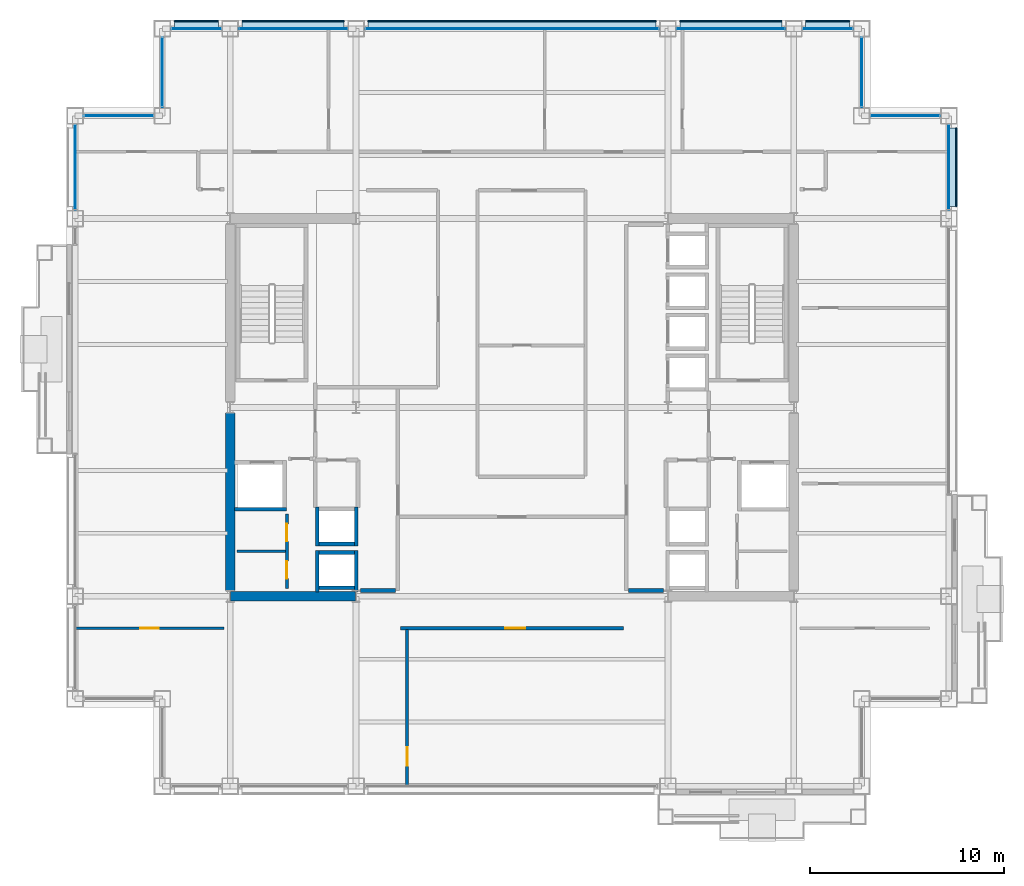
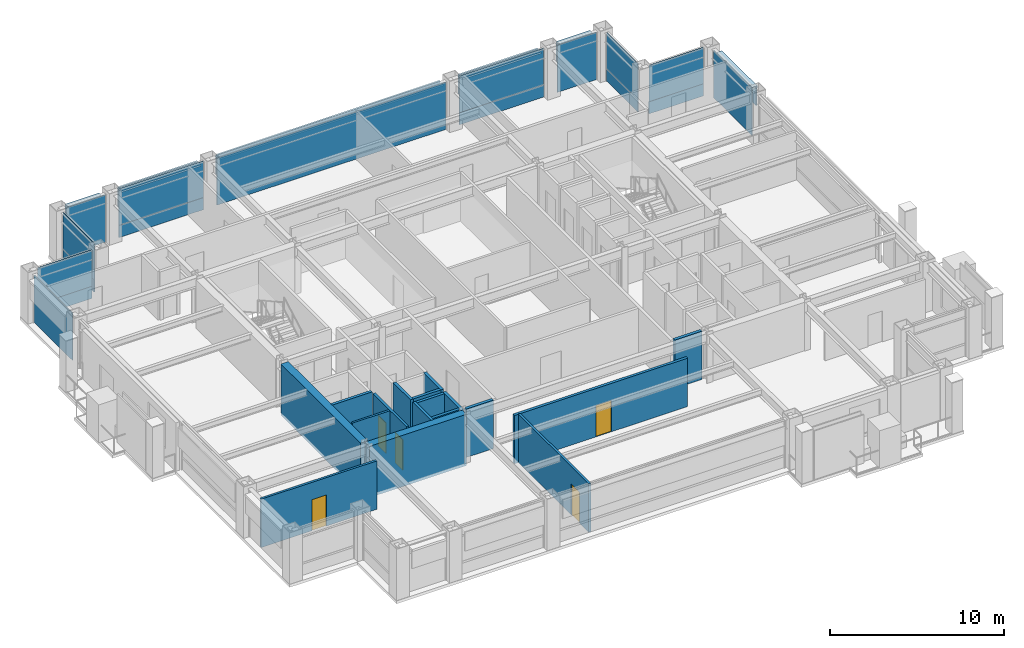
# One storey, part 24 of 30: 29 plates, 17 walls, 5 doors, 5 openings, 11 elements without a shape of their own.
"""IFC4 building model written with IfcOpenShell, lengths in metres."""

import ifcopenshell
import ifcopenshell.guid

model = None  # the IFC model being written
_history = None  # IfcOwnerHistory: only IFC2X3 demands one
_inside = {}  # id of a spatial element -> (the spatial element, [elements in it])
_under = {}  # id of a project, library or spatial element -> (it, [spatial elements below it])
_declared = {}  # id of a project -> (the project, [libraries it declares])
_typed = {}  # id of a type object -> (the type object, [elements of that type])
_made_of = {}  # id of a material, layer set ... -> (it, [elements and type objects made of it])


def new_model(schema):
    """Start an empty IFC model of exactly this schema.

    Asked for "IFC4X3", IfcOpenShell would pick the latest addendum, in which some entities
    have other attributes; the version numbers below select the first issue.
    IFC2X3 requires an IfcOwnerHistory on every rooted entity: one is made here for all.
    """
    global model, _history
    if schema == "IFC4X3":
        model = ifcopenshell.file(schema_version=(4, 3, 0, 0))
    else:
        model = ifcopenshell.file(schema=schema)
    _inside.clear()
    _under.clear()
    _declared.clear()
    _typed.clear()
    _made_of.clear()
    _history = None
    if model.schema == "IFC2X3":
        org = make("IfcOrganization", Name="unknown")
        user = make(
            "IfcPersonAndOrganization",
            ThePerson=make("IfcPerson", FamilyName="unknown"),
            TheOrganization=org,
        )
        app = make(
            "IfcApplication",
            ApplicationDeveloper=org,
            Version="unknown",
            ApplicationFullName="unknown",
            ApplicationIdentifier="unknown",
        )
        _history = make(
            "IfcOwnerHistory",
            OwningUser=user,
            OwningApplication=app,
            ChangeAction="ADDED",
            CreationDate=0,
        )
    return model


def make(cls, **values):
    """One entity of the class cls with the attributes given. An attribute that is None is left unset."""
    return model.create_entity(
        cls, **{name: value for name, value in values.items() if value is not None}
    )


def rooted(cls, **values):
    """An entity with a GlobalId (a new one), such as an element, a storey or a relation."""
    return make(cls, GlobalId=ifcopenshell.guid.new(), OwnerHistory=_history, **values)


def si_unit(unit_type, name, prefix=None):
    """IfcSIUnit, for example si_unit("LENGTHUNIT", "METRE", prefix="MILLI")."""
    return make("IfcSIUnit", UnitType=unit_type, Prefix=prefix, Name=name)


def assignment(units):
    """IfcUnitAssignment: the units of a project."""
    return None if units is None else make("IfcUnitAssignment", Units=units)


def point(xyz):
    """IfcCartesianPoint."""
    return None if xyz is None else make("IfcCartesianPoint", Coordinates=xyz)


def direction(xyz):
    """IfcDirection."""
    return None if xyz is None else make("IfcDirection", DirectionRatios=xyz)


def frame(location, z_axis=None, x_axis=None):
    """IfcAxis2Placement3D, a coordinate frame: its origin and axes. An axis left out is left unset."""
    return make(
        "IfcAxis2Placement3D",
        Location=point(location),
        Axis=direction(z_axis),
        RefDirection=direction(x_axis),
    )


def frame_2d(location, x_axis=None):
    """IfcAxis2Placement2D, a coordinate frame in the plane: its origin and x axis."""
    return make(
        "IfcAxis2Placement2D", Location=point(location), RefDirection=direction(x_axis)
    )


def origin():
    """The frame at (0, 0, 0) with its axes left unset."""
    return frame((0.0, 0.0, 0.0))


def origin_2d():
    """The frame at (0, 0) in the plane with its x axis left unset."""
    return frame_2d((0.0, 0.0))


def place(relative_to, where):
    """IfcLocalPlacement: puts the frame where relative to a parent placement (None: the world)."""
    return make(
        "IfcLocalPlacement", PlacementRelTo=relative_to, RelativePlacement=where
    )


def context(
    kind, dimensions, precision=None, world=None, true_north=None, identifier=None
):
    """IfcGeometricRepresentationContext, for example the 3D "Model" context."""
    return make(
        "IfcGeometricRepresentationContext",
        ContextIdentifier=identifier,
        ContextType=kind,
        CoordinateSpaceDimension=dimensions,
        Precision=precision,
        WorldCoordinateSystem=world,
        TrueNorth=true_north,
    )


def subcontext(parent, identifier, kind, view, scale=None):
    """IfcGeometricRepresentationSubContext, for example "Body" below "Model"."""
    return make(
        "IfcGeometricRepresentationSubContext",
        ContextIdentifier=identifier,
        ContextType=kind,
        ParentContext=parent,
        TargetScale=scale,
        TargetView=view,
    )


def project(units=None, contexts=None):
    """IfcProject with its units and contexts."""
    return rooted(
        "IfcProject",
        Name="project",
        RepresentationContexts=contexts,
        UnitsInContext=assignment(units),
    )


def spatial(cls, under=None, at=None, **own):
    """A site, building, storey or space (cls), placed at a placement, below another one or the project."""
    s = rooted(cls, ObjectPlacement=at, **own)
    if under is not None:
        _under.setdefault(under.id(), (under, []))[1].append(s)
    return s


def profile(cls, at=None, kind="AREA", **sizes):
    """A parametric profile (cls). Its sizes go by their IFC names, for example OverallWidth=200.0."""
    return make(cls, ProfileType=kind, Position=at, **sizes)


def rectangle(**sizes):
    """IfcRectangleProfileDef."""
    return profile("IfcRectangleProfileDef", **sizes)


def extrude(swept, where, along, depth):
    """IfcExtrudedAreaSolid: the profile swept, set in the frame where, extruded along a direction by depth."""
    return make(
        "IfcExtrudedAreaSolid",
        SweptArea=swept,
        Position=where,
        ExtrudedDirection=direction(along),
        Depth=depth,
    )


def shape(context_of_items, identifier, shape_type, items):
    """IfcShapeRepresentation: the items that make up one representation, for example the "Body"."""
    return make(
        "IfcShapeRepresentation",
        ContextOfItems=context_of_items,
        RepresentationIdentifier=identifier,
        RepresentationType=shape_type,
        Items=items,
    )


def material(Name=None, Category=None):
    """IfcMaterial."""
    return make("IfcMaterial", Name=Name, Category=Category)


def layer(
    of_material, thickness, ventilated=None, Name=None, Category=None, Priority=None
):
    """IfcMaterialLayer: one layer of a wall or slab, of a material (None: an air gap)."""
    return make(
        "IfcMaterialLayer",
        Material=of_material,
        LayerThickness=thickness,
        IsVentilated=ventilated,
        Name=Name,
        Category=Category,
        Priority=Priority,
    )


def layer_set(layers, Name=None):
    """IfcMaterialLayerSet."""
    return make("IfcMaterialLayerSet", MaterialLayers=layers, LayerSetName=Name)


def made_of(thing, what):
    """Note that an element or type object is made of a material, layer set ...; save() writes the relation."""
    if what is not None:
        _made_of.setdefault(what.id(), (what, []))[1].append(thing)
    return thing


def type_object(cls, material=None, **own):
    """A type object (cls), such as IfcWallType, which elements share."""
    return made_of(rooted(cls, **own), material)


def element(
    cls,
    number,
    at=None,
    inside=None,
    cuts=None,
    type_object=None,
    material=None,
    context=None,
    identifier="Body",
    shape_type=None,
    held_by="IfcProductDefinitionShape",
    body=None,
    shapes=None,
    **own,
):
    """One element of the class cls, such as IfcWall. Its Tag is "e" and its number.

    at: its placement. inside: the storey or other place that contains it. cuts: it is an
    opening in that element (IfcRelVoidsElement). A single representation is given by context,
    identifier, shape_type and body (its items); several are given by shapes. held_by: the class
    of the entity that holds the representations. save() writes the other relations.
    """
    e = rooted(cls, Tag="e%d" % number, ObjectPlacement=at, **own)
    if body is not None:
        shapes = [shape(context, identifier, shape_type, body)]
    if shapes is not None:
        e.Representation = make(held_by, Representations=shapes)
    if inside is not None:
        _inside.setdefault(inside.id(), (inside, []))[1].append(e)
    if cuts is not None:
        rooted(
            "IfcRelVoidsElement", RelatingBuildingElement=cuts, RelatedOpeningElement=e
        )
    if type_object is not None:
        _typed.setdefault(type_object.id(), (type_object, []))[1].append(e)
    return made_of(e, material)


def fill(opening, filler):
    """IfcRelFillsElement: the door or window that sits in an opening."""
    return rooted(
        "IfcRelFillsElement",
        RelatingOpeningElement=opening,
        RelatedBuildingElement=filler,
    )


def aggregate(whole, parts):
    """IfcRelAggregates: a whole, such as a stair, and the parts it consists of."""
    return rooted("IfcRelAggregates", RelatingObject=whole, RelatedObjects=parts)


def save(model, path):
    """Write the relations noted so far, then the file.

    IfcRelAggregates (storeys below a building ...), IfcRelContainedInSpatialStructure (elements
    in a storey), IfcRelDefinesByType, IfcRelAssociatesMaterial and IfcRelDeclares: one each for
    every whole, place, type object, material and project.
    """
    for whole, parts in _under.values():
        aggregate(whole, parts)
    for where, things in _inside.values():
        rooted(
            "IfcRelContainedInSpatialStructure",
            RelatedElements=things,
            RelatingStructure=where,
        )
    for kind, things in _typed.values():
        rooted("IfcRelDefinesByType", RelatedObjects=things, RelatingType=kind)
    for what, things in _made_of.values():
        rooted("IfcRelAssociatesMaterial", RelatedObjects=things, RelatingMaterial=what)
    for by, libraries in _declared.values():
        rooted("IfcRelDeclares", RelatingContext=by, RelatedDefinitions=libraries)
    model.write(path)


model = new_model("IFC4")

# Units and contexts
model_context = context("Model", 3, precision=1e-05, world=origin(), true_north=direction((0.0, 1.0)))
body_context = subcontext(model_context, "Body", "Model", "MODEL_VIEW")
ifc_project = project(units=[si_unit("LENGTHUNIT", "METRE"), si_unit("AREAUNIT", "SQUARE_METRE"), si_unit("VOLUMEUNIT", "CUBIC_METRE"), si_unit("PLANEANGLEUNIT", "RADIAN"), si_unit("MASSUNIT", "GRAM", prefix="KILO")], contexts=[model_context])

# Site, building, storey
site_placement = place(None, origin())
site = spatial("IfcSite", under=ifc_project, at=site_placement, CompositionType="ELEMENT")
building_placement = place(site_placement, origin())
building = spatial("IfcBuilding", under=site, at=building_placement, Name="Brelmoor Portico Tower", CompositionType="ELEMENT")
storey_placement = place(building_placement, frame((0.0, 0.0, 102.60009765625)))
storey = spatial("IfcBuildingStorey", under=building, at=storey_placement, Name="L26", CompositionType="ELEMENT", Elevation=102.60009765625)

# Curtain wall, plate
ifc_material_1 = material(Name="Anodised Aluminium Alloy 6063-T6", Category="aluminium")
ifc_layer_1 = layer(ifc_material_1, 0.179931640625)
ifc_layer_set_1 = layer_set([ifc_layer_1], Name="Anodised Aluminium Alloy 6063-T6")
curtain_wall_type_1 = type_object("IfcCurtainWallType", Name="CW-TOWER-Z2", PredefinedType="NOTDEFINED", material=ifc_layer_set_1)
curtain_wall_1_placement = place(storey_placement, origin())
curtain_wall_1 = element("IfcCurtainWall", 1, at=curtain_wall_1_placement, inside=storey, type_object=curtain_wall_type_1, Name="L26 Curtain Wall CW-L26-02-2", PredefinedType="NOTDEFINED")
ifc_material_2 = material(Name="Double-Silver Low-E Insulated Glazing", Category="glass")
ifc_layer_2 = layer(ifc_material_2, 0.035888671875)
ifc_layer_set_2 = layer_set([ifc_layer_2], Name="Double-Silver Low-E Insulated Glazing")
plate_type_1 = type_object("IfcPlateType", Name="PT-CW-GLASS", PredefinedType="CURTAIN_PANEL", material=ifc_layer_set_2)
plate_1_placement = place(storey_placement, frame((-11.300048828125, 19.550048828125, 0.85009765625), z_axis=(0.0, 0.0, 1.0), x_axis=(1.0, 0.0, 0.0)))
plate_1 = element("IfcPlate", 2, at=plate_1_placement, type_object=plate_type_1, Name="CW-L26-02-2 Vision Glass Panel 00", PredefinedType="CURTAIN_PANEL", context=body_context, shape_type="SweptSolid", body=[
    extrude(rectangle(XDim=5.60009765625, YDim=0.035888671875, at=origin_2d()), origin(), (0.0, 0.0, 1.0), 2.550048828125),
])

curtain_wall_2_placement = place(storey_placement, origin())
curtain_wall_2 = element("IfcCurtainWall", 3, at=curtain_wall_2_placement, inside=storey, type_object=curtain_wall_type_1, Name="L26 Curtain Wall CW-L26-02-4", PredefinedType="NOTDEFINED")
plate_2_placement = place(storey_placement, frame((11.300048828125, 19.550048828125, 0.85009765625), z_axis=(0.0, 0.0, 1.0), x_axis=(1.0, 0.0, 0.0)))
plate_2 = element("IfcPlate", 4, at=plate_2_placement, type_object=plate_type_1, Name="CW-L26-02-4 Vision Glass Panel 00", PredefinedType="CURTAIN_PANEL", context=body_context, shape_type="SweptSolid", body=[
    extrude(rectangle(XDim=5.60009765625, YDim=0.035888671875, at=origin_2d()), origin(), (0.0, 0.0, 1.0), 2.550048828125),
])

ifc_layer_3 = layer(ifc_material_1, 0.179931640625)
ifc_layer_set_3 = layer_set([ifc_layer_3], Name="Anodised Aluminium Alloy 6063-T6")
curtain_wall_type_2 = type_object("IfcCurtainWallType", Name="CW-NOTCH-CHAMFER", PredefinedType="NOTDEFINED", material=ifc_layer_set_3)
curtain_wall_3_placement = place(storey_placement, origin())
curtain_wall_3 = element("IfcCurtainWall", 5, at=curtain_wall_3_placement, inside=storey, type_object=curtain_wall_type_2, Name="L26 Curtain Wall CWN-L26-NWH", PredefinedType="NOTDEFINED")
plate_3_placement = place(storey_placement, frame((-20.300048828125, 15.050048828125, 0.85009765625), z_axis=(0.0, 0.0, 1.0), x_axis=(1.0, 0.0, 0.0)))
plate_3 = element("IfcPlate", 6, at=plate_3_placement, type_object=plate_type_1, Name="CWN-L26-NWH Vision Glass Panel 00", PredefinedType="CURTAIN_PANEL", context=body_context, shape_type="SweptSolid", body=[
    extrude(rectangle(XDim=3.60009765625, YDim=0.035888671875, at=origin_2d()), origin(), (0.0, 0.0, 1.0), 2.550048828125),
])

curtain_wall_4_placement = place(storey_placement, origin())
curtain_wall_4 = element("IfcCurtainWall", 7, at=curtain_wall_4_placement, inside=storey, type_object=curtain_wall_type_2, Name="L26 Curtain Wall CWN-L26-NWV", PredefinedType="NOTDEFINED")
plate_4_placement = place(storey_placement, frame((-18.050048828125, 17.300048828125, 0.85009765625), z_axis=(0.0, 0.0, 1.0), x_axis=(0.0, 1.0, 0.0)))
plate_4 = element("IfcPlate", 8, at=plate_4_placement, type_object=plate_type_1, Name="CWN-L26-NWV Vision Glass Panel 00", PredefinedType="CURTAIN_PANEL", context=body_context, shape_type="SweptSolid", body=[
    extrude(rectangle(XDim=3.60009765625, YDim=0.035888671875, at=origin_2d()), origin(), (0.0, 0.0, 1.0), 2.550048828125),
])

curtain_wall_5_placement = place(storey_placement, origin())
curtain_wall_5 = element("IfcCurtainWall", 9, at=curtain_wall_5_placement, inside=storey, type_object=curtain_wall_type_2, Name="L26 Curtain Wall CWN-L26-NEH", PredefinedType="NOTDEFINED")
plate_5_placement = place(storey_placement, frame((20.300048828125, 15.050048828125, 0.85009765625), z_axis=(0.0, 0.0, 1.0), x_axis=(1.0, 0.0, 0.0)))
plate_5 = element("IfcPlate", 10, at=plate_5_placement, type_object=plate_type_1, Name="CWN-L26-NEH Vision Glass Panel 00", PredefinedType="CURTAIN_PANEL", context=body_context, shape_type="SweptSolid", body=[
    extrude(rectangle(XDim=3.60009765625, YDim=0.035888671875, at=origin_2d()), origin(), (0.0, 0.0, 1.0), 2.550048828125),
])

curtain_wall_6_placement = place(storey_placement, origin())
curtain_wall_6 = element("IfcCurtainWall", 11, at=curtain_wall_6_placement, inside=storey, type_object=curtain_wall_type_2, Name="L26 Curtain Wall CWN-L26-NEV", PredefinedType="NOTDEFINED")
plate_6_placement = place(storey_placement, frame((18.050048828125, 17.300048828125, 0.85009765625), z_axis=(0.0, 0.0, 1.0), x_axis=(0.0, 1.0, 0.0)))
plate_6 = element("IfcPlate", 12, at=plate_6_placement, type_object=plate_type_1, Name="CWN-L26-NEV Vision Glass Panel 00", PredefinedType="CURTAIN_PANEL", context=body_context, shape_type="SweptSolid", body=[
    extrude(rectangle(XDim=3.60009765625, YDim=0.035888671875, at=origin_2d()), origin(), (0.0, 0.0, 1.0), 2.550048828125),
])

ifc_layer_4 = layer(ifc_material_1, 0.179931640625)
ifc_layer_set_4 = layer_set([ifc_layer_4], Name="Anodised Aluminium Alloy 6063-T6")
curtain_wall_type_3 = type_object("IfcCurtainWallType", Name="CW-TOWER-Z2-XB", PredefinedType="NOTDEFINED", material=ifc_layer_set_4)
curtain_wall_7_placement = place(storey_placement, origin())
curtain_wall_7 = element("IfcCurtainWall", 13, at=curtain_wall_7_placement, inside=storey, type_object=curtain_wall_type_3, Name="L26 Curtain Wall CW-L26-02-1", PredefinedType="NOTDEFINED")
ifc_material_3 = material(Name="Pale Champagne Anodised Aluminium Panel", Category="aluminium")
ifc_layer_5 = layer(ifc_material_3, 0.050048828125)
ifc_layer_set_5 = layer_set([ifc_layer_5], Name="Pale Champagne Anodised Aluminium Panel")
plate_type_2 = type_object("IfcPlateType", Name="PT-CW-SPANDREL", PredefinedType="SHEET", material=ifc_layer_set_5)
plate_7_placement = place(storey_placement, frame((-16.300048828125, 19.550048828125, -0.000244140625), z_axis=(0.0, 0.0, 1.0), x_axis=(1.0, 0.0, 0.0)))
plate_7 = element("IfcPlate", 14, at=plate_7_placement, type_object=plate_type_2, Name="CW-L26-02-1 Spandrel Panel 00", PredefinedType="SHEET", context=body_context, shape_type="SweptSolid", body=[
    extrude(rectangle(XDim=2.60009765625, YDim=0.050048828125, at=origin_2d()), origin(), (0.0, 0.0, 1.0), 3.330078125),
])
aggregate(curtain_wall_7, [plate_7])

# Plate
plate_8_placement = place(storey_placement, frame((-11.300048828125, 19.550048828125, -0.000244140625), z_axis=(0.0, 0.0, 1.0), x_axis=(1.0, 0.0, 0.0)))
plate_8 = element("IfcPlate", 15, at=plate_8_placement, type_object=plate_type_2, Name="CW-L26-02-2 Spandrel Panel 00", PredefinedType="SHEET", context=body_context, shape_type="SweptSolid", body=[
    extrude(rectangle(XDim=5.60009765625, YDim=0.050048828125, at=origin_2d()), origin(), (0.0, 0.0, 1.0), 0.85009765625),
])

aggregate(curtain_wall_1, [plate_8, plate_1])

# Curtain wall, plate
curtain_wall_8_placement = place(storey_placement, origin())
curtain_wall_8 = element("IfcCurtainWall", 16, at=curtain_wall_8_placement, inside=storey, type_object=curtain_wall_type_3, Name="L26 Curtain Wall CW-L26-02-3", PredefinedType="NOTDEFINED")
plate_9_placement = place(storey_placement, frame((0.0, 19.550048828125, -0.000244140625), z_axis=(0.0, 0.0, 1.0), x_axis=(1.0, 0.0, 0.0)))
plate_9 = element("IfcPlate", 17, at=plate_9_placement, type_object=plate_type_2, Name="CW-L26-02-3 Spandrel Panel 00", PredefinedType="SHEET", context=body_context, shape_type="SweptSolid", body=[
    extrude(rectangle(XDim=15.199951171875, YDim=0.050048828125, at=origin_2d()), origin(), (0.0, 0.0, 1.0), 3.330078125),
])
aggregate(curtain_wall_8, [plate_9])

# Plate
plate_10_placement = place(storey_placement, frame((11.300048828125, 19.550048828125, -0.000244140625), z_axis=(0.0, 0.0, 1.0), x_axis=(1.0, 0.0, 0.0)))
plate_10 = element("IfcPlate", 18, at=plate_10_placement, type_object=plate_type_2, Name="CW-L26-02-4 Spandrel Panel 00", PredefinedType="SHEET", context=body_context, shape_type="SweptSolid", body=[
    extrude(rectangle(XDim=5.60009765625, YDim=0.050048828125, at=origin_2d()), origin(), (0.0, 0.0, 1.0), 0.85009765625),
])

aggregate(curtain_wall_2, [plate_10, plate_2])

# Curtain wall, plate
curtain_wall_9_placement = place(storey_placement, origin())
curtain_wall_9 = element("IfcCurtainWall", 19, at=curtain_wall_9_placement, inside=storey, type_object=curtain_wall_type_3, Name="L26 Curtain Wall CW-L26-02-5", PredefinedType="NOTDEFINED")
plate_11_placement = place(storey_placement, frame((16.300048828125, 19.550048828125, -0.000244140625), z_axis=(0.0, 0.0, 1.0), x_axis=(1.0, 0.0, 0.0)))
plate_11 = element("IfcPlate", 20, at=plate_11_placement, type_object=plate_type_2, Name="CW-L26-02-5 Spandrel Panel 00", PredefinedType="SHEET", context=body_context, shape_type="SweptSolid", body=[
    extrude(rectangle(XDim=2.60009765625, YDim=0.050048828125, at=origin_2d()), origin(), (0.0, 0.0, 1.0), 3.330078125),
])
aggregate(curtain_wall_9, [plate_11])

curtain_wall_10_placement = place(storey_placement, origin())
curtain_wall_10 = element("IfcCurtainWall", 21, at=curtain_wall_10_placement, inside=storey, type_object=curtain_wall_type_3, Name="L26 Curtain Wall CW-L26-3R-2", PredefinedType="NOTDEFINED")
plate_12_placement = place(storey_placement, frame((-22.550048828125, 12.39990234375, -0.000244140625), z_axis=(0.0, 0.0, 1.0), x_axis=(0.0, 1.0, 0.0)))
plate_12 = element("IfcPlate", 22, at=plate_12_placement, type_object=plate_type_2, Name="CW-L26-3R-2 Spandrel Panel 00", PredefinedType="SHEET", context=body_context, shape_type="SweptSolid", body=[
    extrude(rectangle(XDim=4.39990234375, YDim=0.050048828125, at=origin_2d()), origin(), (0.0, 0.0, 1.0), 3.330078125),
])
aggregate(curtain_wall_10, [plate_12])

curtain_wall_11_placement = place(storey_placement, origin())
curtain_wall_11 = element("IfcCurtainWall", 23, at=curtain_wall_11_placement, inside=storey, type_object=curtain_wall_type_3, Name="L26 Curtain Wall CW-L26-4R-2", PredefinedType="NOTDEFINED")
plate_13_placement = place(storey_placement, frame((22.550048828125, 12.39990234375, -0.000244140625), z_axis=(0.0, 0.0, 1.0), x_axis=(0.0, 1.0, 0.0)))
plate_13 = element("IfcPlate", 24, at=plate_13_placement, type_object=plate_type_2, Name="CW-L26-4R-2 Spandrel Panel 00", PredefinedType="SHEET", context=body_context, shape_type="SweptSolid", body=[
    extrude(rectangle(XDim=4.39990234375, YDim=0.050048828125, at=origin_2d()), origin(), (0.0, 0.0, 1.0), 3.330078125),
])
aggregate(curtain_wall_11, [plate_13])

# Plate
plate_14_placement = place(storey_placement, frame((-20.300048828125, 15.050048828125, -0.000244140625), z_axis=(0.0, 0.0, 1.0), x_axis=(1.0, 0.0, 0.0)))
plate_14 = element("IfcPlate", 25, at=plate_14_placement, type_object=plate_type_2, Name="CWN-L26-NWH Spandrel Panel 00", PredefinedType="SHEET", context=body_context, shape_type="SweptSolid", body=[
    extrude(rectangle(XDim=3.60009765625, YDim=0.050048828125, at=origin_2d()), origin(), (0.0, 0.0, 1.0), 0.85009765625),
])

aggregate(curtain_wall_3, [plate_14, plate_3])

plate_15_placement = place(storey_placement, frame((-18.050048828125, 17.300048828125, -0.000244140625), z_axis=(0.0, 0.0, 1.0), x_axis=(0.0, 1.0, 0.0)))
plate_15 = element("IfcPlate", 26, at=plate_15_placement, type_object=plate_type_2, Name="CWN-L26-NWV Spandrel Panel 00", PredefinedType="SHEET", context=body_context, shape_type="SweptSolid", body=[
    extrude(rectangle(XDim=3.60009765625, YDim=0.050048828125, at=origin_2d()), origin(), (0.0, 0.0, 1.0), 0.85009765625),
])

aggregate(curtain_wall_4, [plate_15, plate_4])

plate_16_placement = place(storey_placement, frame((20.300048828125, 15.050048828125, -0.000244140625), z_axis=(0.0, 0.0, 1.0), x_axis=(1.0, 0.0, 0.0)))
plate_16 = element("IfcPlate", 27, at=plate_16_placement, type_object=plate_type_2, Name="CWN-L26-NEH Spandrel Panel 00", PredefinedType="SHEET", context=body_context, shape_type="SweptSolid", body=[
    extrude(rectangle(XDim=3.60009765625, YDim=0.050048828125, at=origin_2d()), origin(), (0.0, 0.0, 1.0), 0.85009765625),
])

aggregate(curtain_wall_5, [plate_16, plate_5])

plate_17_placement = place(storey_placement, frame((18.050048828125, 17.300048828125, -0.000244140625), z_axis=(0.0, 0.0, 1.0), x_axis=(0.0, 1.0, 0.0)))
plate_17 = element("IfcPlate", 28, at=plate_17_placement, type_object=plate_type_2, Name="CWN-L26-NEV Spandrel Panel 00", PredefinedType="SHEET", context=body_context, shape_type="SweptSolid", body=[
    extrude(rectangle(XDim=3.60009765625, YDim=0.050048828125, at=origin_2d()), origin(), (0.0, 0.0, 1.0), 0.85009765625),
])

aggregate(curtain_wall_6, [plate_17, plate_6])

# Plates
ifc_material_4 = material(Name="Powder-Coated Aluminium Shuttered Jalousie Louvre", Category="aluminium")
ifc_layer_6 = layer(ifc_material_4, 0.06005859375)
ifc_layer_set_6 = layer_set([ifc_layer_6], Name="Powder-Coated Aluminium Shuttered Jalousie Louvre")
plate_type_3 = type_object("IfcPlateType", Name="PT-JALOUSIE-SHUTTER", PredefinedType="SHEET", material=ifc_layer_set_6)
plate_18_placement = place(storey_placement, frame((-16.300048828125, 19.929931640625, 1.8740234375), z_axis=(0.0, 0.0, 1.0), x_axis=(1.0, 0.0, 0.0)))
element("IfcPlate", 29, at=plate_18_placement, inside=storey, type_object=plate_type_3, Name="CW-L26-02-1 Perforated Jalousie Solar Screen", PredefinedType="SHEET", context=body_context, shape_type="SweptSolid", body=[
    extrude(rectangle(XDim=2.27001953125, YDim=0.06494140625, at=origin_2d()), origin(), (0.0, 0.0, 1.0), 1.325927734375),
])
plate_19_placement = place(storey_placement, frame((-11.300048828125, 19.929931640625, 1.8740234375), z_axis=(0.0, 0.0, 1.0), x_axis=(1.0, 0.0, 0.0)))
element("IfcPlate", 30, at=plate_19_placement, inside=storey, type_object=plate_type_3, Name="CW-L26-02-2 Perforated Jalousie Solar Screen", PredefinedType="SHEET", context=body_context, shape_type="SweptSolid", body=[
    extrude(rectangle(XDim=5.27001953125, YDim=0.06494140625, at=origin_2d()), origin(), (0.0, 0.0, 1.0), 1.325927734375),
])
plate_20_placement = place(storey_placement, frame((0.0, 19.929931640625, 1.8740234375), z_axis=(0.0, 0.0, 1.0), x_axis=(1.0, 0.0, 0.0)))
element("IfcPlate", 31, at=plate_20_placement, inside=storey, type_object=plate_type_3, Name="CW-L26-02-3 Perforated Jalousie Solar Screen", PredefinedType="SHEET", context=body_context, shape_type="SweptSolid", body=[
    extrude(rectangle(XDim=14.8701171875, YDim=0.06494140625, at=origin_2d()), origin(), (0.0, 0.0, 1.0), 1.325927734375),
])
plate_21_placement = place(storey_placement, frame((11.300048828125, 19.929931640625, 1.8740234375), z_axis=(0.0, 0.0, 1.0), x_axis=(1.0, 0.0, 0.0)))
element("IfcPlate", 32, at=plate_21_placement, inside=storey, type_object=plate_type_3, Name="CW-L26-02-4 Perforated Jalousie Solar Screen", PredefinedType="SHEET", context=body_context, shape_type="SweptSolid", body=[
    extrude(rectangle(XDim=5.27001953125, YDim=0.06494140625, at=origin_2d()), origin(), (0.0, 0.0, 1.0), 1.325927734375),
])
plate_22_placement = place(storey_placement, frame((16.300048828125, 19.929931640625, 1.8740234375), z_axis=(0.0, 0.0, 1.0), x_axis=(1.0, 0.0, 0.0)))
element("IfcPlate", 33, at=plate_22_placement, inside=storey, type_object=plate_type_3, Name="CW-L26-02-5 Perforated Jalousie Solar Screen", PredefinedType="SHEET", context=body_context, shape_type="SweptSolid", body=[
    extrude(rectangle(XDim=2.27001953125, YDim=0.06494140625, at=origin_2d()), origin(), (0.0, 0.0, 1.0), 1.325927734375),
])
plate_23_placement = place(storey_placement, frame((22.929931640625, 12.39990234375, 1.8740234375), z_axis=(0.0, 0.0, 1.0), x_axis=(0.0, 1.0, 0.0)))
element("IfcPlate", 34, at=plate_23_placement, inside=storey, type_object=plate_type_3, Name="CW-L26-4R-2 Perforated Jalousie Solar Screen", PredefinedType="SHEET", context=body_context, shape_type="SweptSolid", body=[
    extrude(rectangle(XDim=4.070068359375, YDim=0.06494140625, at=origin_2d()), origin(), (0.0, 0.0, 1.0), 1.325927734375),
])
ifc_material_5 = material(Name="Pale Champagne Perforated Aluminium Solar Screen", Category="aluminium")
ifc_layer_7 = layer(ifc_material_5, 0.054931640625)
ifc_layer_set_7 = layer_set([ifc_layer_7], Name="Pale Champagne Perforated Aluminium Solar Screen")
plate_type_4 = type_object("IfcPlateType", Name="PT-SOLAR-LOUVRE", PredefinedType="SHEET", material=ifc_layer_set_7)
plate_24_placement = place(storey_placement, frame((-16.300048828125, 19.760009765625, 3.08984375), z_axis=(0.0, 0.0, 1.0), x_axis=(1.0, 0.0, 0.0)))
element("IfcPlate", 35, at=plate_24_placement, inside=storey, type_object=plate_type_4, Name="CW-L26-02-1 Caribbean Brise-Soleil Solar Screen", PredefinedType="SHEET", context=body_context, shape_type="SweptSolid", body=[
    extrude(rectangle(XDim=2.27001953125, YDim=0.4599609375, at=origin_2d()), origin(), (0.0, 0.0, 1.0), 0.139892578125),
])
plate_25_placement = place(storey_placement, frame((-11.300048828125, 19.760009765625, 3.08984375), z_axis=(0.0, 0.0, 1.0), x_axis=(1.0, 0.0, 0.0)))
element("IfcPlate", 36, at=plate_25_placement, inside=storey, type_object=plate_type_4, Name="CW-L26-02-2 Caribbean Brise-Soleil Solar Screen", PredefinedType="SHEET", context=body_context, shape_type="SweptSolid", body=[
    extrude(rectangle(XDim=5.27001953125, YDim=0.4599609375, at=origin_2d()), origin(), (0.0, 0.0, 1.0), 0.139892578125),
])
plate_26_placement = place(storey_placement, frame((0.0, 19.760009765625, 3.08984375), z_axis=(0.0, 0.0, 1.0), x_axis=(1.0, 0.0, 0.0)))
element("IfcPlate", 37, at=plate_26_placement, inside=storey, type_object=plate_type_4, Name="CW-L26-02-3 Caribbean Brise-Soleil Solar Screen", PredefinedType="SHEET", context=body_context, shape_type="SweptSolid", body=[
    extrude(rectangle(XDim=14.8701171875, YDim=0.4599609375, at=origin_2d()), origin(), (0.0, 0.0, 1.0), 0.139892578125),
])
plate_27_placement = place(storey_placement, frame((11.300048828125, 19.760009765625, 3.08984375), z_axis=(0.0, 0.0, 1.0), x_axis=(1.0, 0.0, 0.0)))
element("IfcPlate", 38, at=plate_27_placement, inside=storey, type_object=plate_type_4, Name="CW-L26-02-4 Caribbean Brise-Soleil Solar Screen", PredefinedType="SHEET", context=body_context, shape_type="SweptSolid", body=[
    extrude(rectangle(XDim=5.27001953125, YDim=0.4599609375, at=origin_2d()), origin(), (0.0, 0.0, 1.0), 0.139892578125),
])
plate_28_placement = place(storey_placement, frame((16.300048828125, 19.760009765625, 3.08984375), z_axis=(0.0, 0.0, 1.0), x_axis=(1.0, 0.0, 0.0)))
element("IfcPlate", 39, at=plate_28_placement, inside=storey, type_object=plate_type_4, Name="CW-L26-02-5 Caribbean Brise-Soleil Solar Screen", PredefinedType="SHEET", context=body_context, shape_type="SweptSolid", body=[
    extrude(rectangle(XDim=2.27001953125, YDim=0.4599609375, at=origin_2d()), origin(), (0.0, 0.0, 1.0), 0.139892578125),
])
plate_29_placement = place(storey_placement, frame((22.760009765625, 12.39990234375, 3.08984375), z_axis=(0.0, 0.0, 1.0), x_axis=(0.0, 1.0, 0.0)))
element("IfcPlate", 40, at=plate_29_placement, inside=storey, type_object=plate_type_4, Name="CW-L26-4R-2 Caribbean Brise-Soleil Solar Screen", PredefinedType="SHEET", context=body_context, shape_type="SweptSolid", body=[
    extrude(rectangle(XDim=4.070068359375, YDim=0.4599609375, at=origin_2d()), origin(), (0.0, 0.0, 1.0), 0.139892578125),
])

# Walls
ifc_material_6 = material(Name="Concrete C60", Category="concrete")
ifc_layer_8 = layer(ifc_material_6, 0.5)
ifc_layer_set_8 = layer_set([ifc_layer_8], Name="Concrete C60")
wall_type_1 = type_object("IfcWallType", Name="WL-CORE-500", PredefinedType="SHEAR", material=ifc_layer_set_8)
wall_1_placement = place(storey_placement, frame((-14.530029296875, -9.75, -0.2001953125), z_axis=(0.0, 0.0, 1.0), x_axis=(1.0, 0.0, 0.0)))
element("IfcWall", 41, at=wall_1_placement, inside=storey, type_object=wall_type_1, Name="L26 WC South Shear Wall", PredefinedType="SHEAR", context=body_context, shape_type="SweptSolid", body=[
    extrude(rectangle(XDim=6.4599609375, YDim=0.5, at=frame_2d((3.22998046875, 0.0))), origin(), (0.0, 0.0, 1.0), 3.60009765625),
])
wall_2_placement = place(storey_placement, frame((-14.550048828125, -9.449951171875, -0.2001953125), z_axis=(0.0, 0.0, 1.0), x_axis=(0.0, 1.0, 0.0)))
element("IfcWall", 42, at=wall_2_placement, inside=storey, type_object=wall_type_1, Name="L26 WC Outer South Shear Wall", PredefinedType="SHEAR", context=body_context, shape_type="SweptSolid", body=[
    extrude(rectangle(XDim=9.14990234375, YDim=0.5, at=frame_2d((4.574951171875, 0.0))), origin(), (0.0, 0.0, 1.0), 3.60009765625),
])
ifc_material_7 = material(Name="Insulated Stud Suite Partition", Category="gypsum")
ifc_layer_9 = layer(ifc_material_7, 0.139892578125)
ifc_layer_set_9 = layer_set([ifc_layer_9], Name="Insulated Stud Suite Partition")
wall_type_2 = type_object("IfcWallType", Name="WL-PART-140", PredefinedType="PARTITIONING", material=ifc_layer_set_9)
wall_3_placement = place(storey_placement, frame((-11.699951171875, -7.425048828125, 0.0), z_axis=(0.0, 0.0, 1.0), x_axis=(-1.0, 0.0, 0.0)))
element("IfcWall", 43, at=wall_3_placement, inside=storey, type_object=wall_type_2, Name="L26 W Core WC Divider 1", PredefinedType="PARTITIONING", context=body_context, shape_type="SweptSolid", body=[
    extrude(rectangle(XDim=2.5, YDim=0.139892578125, at=frame_2d((1.25, 0.0))), origin(), (0.0, 0.0, 1.0), 3.39990234375),
])

# Wall, opening, door
ifc_material_8 = material(Name="Wet-Area Moisture-Resistant Partition", Category="gypsum")
ifc_layer_10 = layer(ifc_material_8, 0.14990234375)
ifc_layer_set_10 = layer_set([ifc_layer_10], Name="Wet-Area Moisture-Resistant Partition")
wall_type_3 = type_object("IfcWallType", Name="WL-PART-150", PredefinedType="PARTITIONING", material=ifc_layer_set_10)
wall_4_placement = place(storey_placement, frame((-5.4111328125, -19.56005859375, 0.0), z_axis=(0.0, 0.0, 1.0), x_axis=(0.0, 1.0, 0.0)))
wall_4 = element("IfcWall", 44, at=wall_4_placement, inside=storey, type_object=wall_type_3, Name="L26 South Suite Partition 1", PredefinedType="PARTITIONING", context=body_context, shape_type="SweptSolid", body=[
    extrude(rectangle(XDim=8.10009765625, YDim=0.14990234375, at=frame_2d((4.050048828125, 0.0))), origin(), (0.0, 0.0, 1.0), 3.39990234375),
])
opening_1_placement = place(wall_4_placement, frame((1.050048828125, 0.0, 0.0)))
opening_1 = element("IfcOpeningElement", 45, at=opening_1_placement, cuts=wall_4, Name="Opening D-IN2", PredefinedType="OPENING", context=body_context, shape_type="SweptSolid", body=[
    extrude(rectangle(XDim=0.9599609375, YDim=2.179931640625, at=frame_2d((0.47998046875, 1.08984375))), frame((0.0, 0.0849609375, 0.0), z_axis=(0.0, -1.0, 0.0), x_axis=(1.0, 0.0, 0.0)), (0.0, 0.0, 1.0), 0.169921875),
])
ifc_material_9 = material(Name="Lacquered Timber Suite Door", Category="wood")
door_type_1 = type_object("IfcDoorType", Name="DR-INT-950", OperationType="NOTDEFINED", PredefinedType="DOOR", material=ifc_material_9)
door_1_placement = place(opening_1_placement, origin())
door_1 = element("IfcDoor", 46, at=door_1_placement, inside=storey, type_object=door_type_1, Name="D-1158 L26 South Suite Connecting Door 1", OperationType="SINGLE_SWING_LEFT", OverallHeight=2.179931640625, OverallWidth=0.9599609375, PredefinedType="DOOR", context=body_context, shape_type="SweptSolid", body=[
    extrude(rectangle(XDim=0.9599609375, YDim=2.179931640625, at=frame_2d((0.47998046875, 1.08984375))), frame((0.0, 0.02490234375, 0.0), z_axis=(0.0, -1.0, 0.0), x_axis=(1.0, 0.0, 0.0)), (0.0, 0.0, 1.0), 0.050048828125),
])
fill(opening_1, door_1)

wall_5_placement = place(storey_placement, frame((-22.56005859375, -11.39990234375, 0.0), z_axis=(0.0, 0.0, 1.0), x_axis=(1.0, 0.0, 0.0)))
wall_5 = element("IfcWall", 47, at=wall_5_placement, inside=storey, type_object=wall_type_3, Name="L26 South Wing Closure WL", PredefinedType="PARTITIONING", context=body_context, shape_type="SweptSolid", body=[
    extrude(rectangle(XDim=7.68017578125, YDim=0.14990234375, at=frame_2d((3.840087890625, 0.0))), origin(), (0.0, 0.0, 1.0), 3.39990234375),
])
opening_2_placement = place(wall_5_placement, frame((3.360107421875, 0.0, 0.0)))
opening_2 = element("IfcOpeningElement", 48, at=opening_2_placement, cuts=wall_5, Name="Opening D-IN2", PredefinedType="OPENING", context=body_context, shape_type="SweptSolid", body=[
    extrude(rectangle(XDim=0.9599609375, YDim=2.179931640625, at=frame_2d((0.47998046875, 1.08984375))), frame((0.0, 0.0849609375, 0.0), z_axis=(0.0, -1.0, 0.0), x_axis=(1.0, 0.0, 0.0)), (0.0, 0.0, 1.0), 0.169921875),
])
door_2_placement = place(opening_2_placement, origin())
door_2 = element("IfcDoor", 49, at=door_2_placement, inside=storey, type_object=door_type_1, Name="D-1162 L26 WL Wing South Suite Door", OperationType="SINGLE_SWING_LEFT", OverallHeight=2.179931640625, OverallWidth=0.9599609375, PredefinedType="DOOR", context=body_context, shape_type="SweptSolid", body=[
    extrude(rectangle(XDim=0.9599609375, YDim=2.179931640625, at=frame_2d((0.47998046875, 1.08984375))), frame((0.0, 0.02490234375, 0.0), z_axis=(0.0, -1.0, 0.0), x_axis=(1.0, 0.0, 0.0)), (0.0, 0.0, 1.0), 0.050048828125),
])
fill(opening_2, door_2)

# Wall, openings, doors
ifc_material_10 = material(Name="Twin-Frame Acoustic Partition", Category="gypsum")
ifc_layer_11 = layer(ifc_material_10, 0.159912109375)
ifc_layer_set_11 = layer_set([ifc_layer_11], Name="Twin-Frame Acoustic Partition")
wall_type_4 = type_object("IfcWallType", Name="WL-PART-160", PredefinedType="PARTITIONING", material=ifc_layer_set_11)
wall_6_placement = place(storey_placement, frame((-11.6201171875, -9.35009765625, 0.0), z_axis=(0.0, 0.0, 1.0), x_axis=(0.0, 1.0, 0.0)))
wall_6 = element("IfcWall", 50, at=wall_6_placement, inside=storey, type_object=wall_type_4, Name="L26 W Core Service Front Wall", PredefinedType="PARTITIONING", context=body_context, shape_type="SweptSolid", body=[
    extrude(rectangle(XDim=3.85009765625, YDim=0.159912109375, at=frame_2d((1.925048828125, 0.0))), origin(), (0.0, 0.0, 1.0), 3.39990234375),
])
opening_3_placement = place(wall_6_placement, frame((0.512451171875, 0.0, 0.0)))
opening_3 = element("IfcOpeningElement", 51, at=opening_3_placement, cuts=wall_6, Name="Opening D-IN1", PredefinedType="OPENING", context=body_context, shape_type="SweptSolid", body=[
    extrude(rectangle(XDim=0.89990234375, YDim=2.14990234375, at=frame_2d((0.449951171875, 1.074951171875))), frame((0.0, 0.08984375, 0.0), z_axis=(0.0, -1.0, 0.0), x_axis=(1.0, 0.0, 0.0)), (0.0, 0.0, 1.0), 0.179931640625),
])
opening_4_placement = place(wall_6_placement, frame((2.4375, 0.0, 0.0)))
opening_4 = element("IfcOpeningElement", 52, at=opening_4_placement, cuts=wall_6, Name="Opening D-IN1", PredefinedType="OPENING", context=body_context, shape_type="SweptSolid", body=[
    extrude(rectangle(XDim=0.89990234375, YDim=2.14990234375, at=frame_2d((0.449951171875, 1.074951171875))), frame((0.0, 0.08984375, 0.0), z_axis=(0.0, -1.0, 0.0), x_axis=(1.0, 0.0, 0.0)), (0.0, 0.0, 1.0), 0.179931640625),
])
door_type_2 = type_object("IfcDoorType", Name="DR-INT-900", OperationType="NOTDEFINED", PredefinedType="DOOR", material=ifc_material_9)
door_3_placement = place(opening_3_placement, origin())
door_3 = element("IfcDoor", 53, at=door_3_placement, inside=storey, type_object=door_type_2, Name="D-1139 L26 W Accessible WC Door", OperationType="SINGLE_SWING_LEFT", OverallHeight=2.14990234375, OverallWidth=0.89990234375, PredefinedType="DOOR", context=body_context, shape_type="SweptSolid", body=[
    extrude(rectangle(XDim=0.89990234375, YDim=2.14990234375, at=frame_2d((0.449951171875, 1.074951171875))), frame((0.0, 0.02490234375, 0.0), z_axis=(0.0, -1.0, 0.0), x_axis=(1.0, 0.0, 0.0)), (0.0, 0.0, 1.0), 0.050048828125),
])
fill(opening_3, door_3)
door_4_placement = place(opening_4_placement, origin())
door_4 = element("IfcDoor", 54, at=door_4_placement, inside=storey, type_object=door_type_2, Name="D-1140 L26 W Staff WC Door", OperationType="SINGLE_SWING_RIGHT", OverallHeight=2.14990234375, OverallWidth=0.89990234375, PredefinedType="DOOR", context=body_context, shape_type="SweptSolid", body=[
    extrude(rectangle(XDim=0.89990234375, YDim=2.14990234375, at=frame_2d((0.449951171875, 1.074951171875))), frame((0.0, 0.02490234375, 0.0), z_axis=(0.0, -1.0, 0.0), x_axis=(1.0, 0.0, 0.0)), (0.0, 0.0, 1.0), 0.050048828125),
])
fill(opening_4, door_4)

# Wall, opening, door
ifc_material_11 = material(Name="Acoustic Corridor Fire Partition", Category="gypsum")
ifc_layer_12 = layer(ifc_material_11, 0.179931640625)
ifc_layer_set_12 = layer_set([ifc_layer_12], Name="Acoustic Corridor Fire Partition")
wall_type_5 = type_object("IfcWallType", Name="WL-PART-180", PredefinedType="PARTITIONING", material=ifc_layer_set_12)
wall_7_placement = place(storey_placement, frame((-5.75, -11.39990234375, 0.0), z_axis=(0.0, 0.0, 1.0), x_axis=(1.0, 0.0, 0.0)))
wall_7 = element("IfcWall", 55, at=wall_7_placement, inside=storey, type_object=wall_type_5, Name="L26 South Corridor Partition", PredefinedType="PARTITIONING", context=body_context, shape_type="SweptSolid", body=[
    extrude(rectangle(XDim=11.5, YDim=0.179931640625, at=frame_2d((5.75, 0.0))), origin(), (0.0, 0.0, 1.0), 3.39990234375),
])
opening_5_placement = place(wall_7_placement, frame((5.409423828125, 0.0, 0.0)))
opening_5 = element("IfcOpeningElement", 56, at=opening_5_placement, cuts=wall_7, Name="Opening D-OF1", PredefinedType="OPENING", context=body_context, shape_type="SweptSolid", body=[
    extrude(rectangle(XDim=1.02001953125, YDim=2.199951171875, at=frame_2d((0.510009765625, 1.10009765625))), frame((0.0, 0.099853515625, 0.0), z_axis=(0.0, -1.0, 0.0), x_axis=(1.0, 0.0, 0.0)), (0.0, 0.0, 1.0), 0.199951171875),
])
ifc_material_12 = material(Name="Hardwood Acoustic Veneer Door", Category="wood")
door_type_3 = type_object("IfcDoorType", Name="DR-OFFICE-1000", OperationType="NOTDEFINED", PredefinedType="DOOR", material=ifc_material_12)
door_5_placement = place(opening_5_placement, origin())
door_5 = element("IfcDoor", 57, at=door_5_placement, inside=storey, type_object=door_type_3, Name="D-1157 L26 South Project Mail Room 2 Door", OperationType="SINGLE_SWING_RIGHT", OverallHeight=2.199951171875, OverallWidth=1.02001953125, PredefinedType="DOOR", context=body_context, shape_type="SweptSolid", body=[
    extrude(rectangle(XDim=1.02001953125, YDim=2.199951171875, at=frame_2d((0.510009765625, 1.10009765625))), frame((0.0, 0.02490234375, 0.0), z_axis=(0.0, -1.0, 0.0), x_axis=(1.0, 0.0, 0.0)), (0.0, 0.0, 1.0), 0.050048828125),
])
fill(opening_5, door_5)

# Walls
ifc_material_13 = material(Name="Double-Stud Gypsum Fire Partition", Category="gypsum")
ifc_layer_13 = layer(ifc_material_13, 0.199951171875)
ifc_layer_set_13 = layer_set([ifc_layer_13], Name="Double-Stud Gypsum Fire Partition")
wall_type_6 = type_object("IfcWallType", Name="WL-PART-200", PredefinedType="PARTITIONING", material=ifc_layer_set_13)
for number, where, z_axis, x_axis, name in (
    (58, (-6.02001953125, -9.449951171875, 0.0), (0.0, 0.0, 1.0), (-1.0, 0.0, 0.0), "L26 W Lift Lobby South End Wall"),
    (59, (6.02001953125, -9.449951171875, 0.0), (0.0, 0.0, 1.0), (1.0, 0.0, 0.0), "L26 E Lift Lobby South End Wall"),
):
    element("IfcWall", number, at=place(storey_placement, frame(where, z_axis=z_axis, x_axis=x_axis)), inside=storey, type_object=wall_type_6, Name=name, PredefinedType="PARTITIONING", context=body_context, shape_type="SweptSolid", body=[
        extrude(rectangle(XDim=1.800048828125, YDim=0.199951171875, at=frame_2d((0.89990234375, 0.0))), origin(), (0.0, 0.0, 1.0), 3.39990234375),
    ])
ifc_material_14 = material(Name="Precast Concrete C40", Category="concrete")
ifc_layer_14 = layer(ifc_material_14, 0.18994140625)
ifc_layer_set_14 = layer_set([ifc_layer_14], Name="Precast Concrete C40")
wall_type_7 = type_object("IfcWallType", Name="WL-SHAFT-180", PredefinedType="SOLIDWALL", material=ifc_layer_set_14)
for number, where, z_axis, x_axis, name in (
    (60, (-8.044921875, -9.52001953125, -0.2001953125), (0.0, 0.0, 1.0), (0.0, 1.0, 0.0), "L26 Lift PH1 Hoistway Front Wall"),
    (61, (-10.054931640625, -9.52001953125, -0.2001953125), (0.0, 0.0, 1.0), (0.0, 1.0, 0.0), "L26 Lift PH1 Hoistway Back Wall"),
):
    element("IfcWall", number, at=place(storey_placement, frame(where, z_axis=z_axis, x_axis=x_axis)), inside=storey, type_object=wall_type_7, Name=name, PredefinedType="SOLIDWALL", context=body_context, shape_type="SweptSolid", body=[
        extrude(rectangle(XDim=2.1201171875, YDim=0.18994140625, at=frame_2d((1.06005859375, 0.0))), origin(), (0.0, 0.0, 1.0), 3.60009765625),
    ])
for number, where, z_axis, x_axis, name in (
    (62, (-10.14990234375, -7.4951171875, -0.2001953125), (0.0, 0.0, 1.0), (1.0, 0.0, 0.0), "L26 Lift PH1 Hoistway North Wall"),
    (63, (-10.14990234375, -9.304931640625, -0.2001953125), (0.0, 0.0, 1.0), (1.0, 0.0, 0.0), "L26 Lift PH1 Hoistway South Wall"),
):
    element("IfcWall", number, at=place(storey_placement, frame(where, z_axis=z_axis, x_axis=x_axis)), inside=storey, type_object=wall_type_7, Name=name, PredefinedType="SOLIDWALL", context=body_context, shape_type="SweptSolid", body=[
        extrude(rectangle(XDim=2.199951171875, YDim=0.18994140625, at=frame_2d((1.10009765625, 0.0))), origin(), (0.0, 0.0, 1.0), 3.60009765625),
    ])
for number, where, z_axis, x_axis, name in (
    (64, (-8.044921875, -7.14990234375, -0.2001953125), (0.0, 0.0, 1.0), (0.0, 1.0, 0.0), "L26 Lift PH2 Hoistway Front Wall"),
    (65, (-10.054931640625, -7.14990234375, -0.2001953125), (0.0, 0.0, 1.0), (0.0, 1.0, 0.0), "L26 Lift PH2 Hoistway Back Wall"),
):
    element("IfcWall", number, at=place(storey_placement, frame(where, z_axis=z_axis, x_axis=x_axis)), inside=storey, type_object=wall_type_7, Name=name, PredefinedType="SOLIDWALL", context=body_context, shape_type="SweptSolid", body=[
        extrude(rectangle(XDim=2.0, YDim=0.18994140625, at=frame_2d((1.0, 0.0))), origin(), (0.0, 0.0, 1.0), 3.60009765625),
    ])
wall_8_placement = place(storey_placement, frame((-10.14990234375, -7.054931640625, -0.2001953125), z_axis=(0.0, 0.0, 1.0), x_axis=(1.0, 0.0, 0.0)))
element("IfcWall", 66, at=wall_8_placement, inside=storey, type_object=wall_type_7, Name="L26 Lift PH2 Hoistway South Wall", PredefinedType="SOLIDWALL", context=body_context, shape_type="SweptSolid", body=[
    extrude(rectangle(XDim=2.199951171875, YDim=0.18994140625, at=frame_2d((1.10009765625, 0.0))), origin(), (0.0, 0.0, 1.0), 3.60009765625),
])
wall_9_placement = place(storey_placement, frame((-14.330078125, -5.2548828125, -0.2001953125), z_axis=(0.0, 0.0, 1.0), x_axis=(1.0, 0.0, 0.0)))
element("IfcWall", 67, at=wall_9_placement, inside=storey, type_object=wall_type_7, Name="L26 Firefighting Lift FF1 South Wall", PredefinedType="SOLIDWALL", context=body_context, shape_type="SweptSolid", body=[
    extrude(rectangle(XDim=2.68017578125, YDim=0.18994140625, at=frame_2d((1.340087890625, 0.0))), origin(), (0.0, 0.0, 1.0), 3.60009765625),
])

save(model, "model.ifc")
